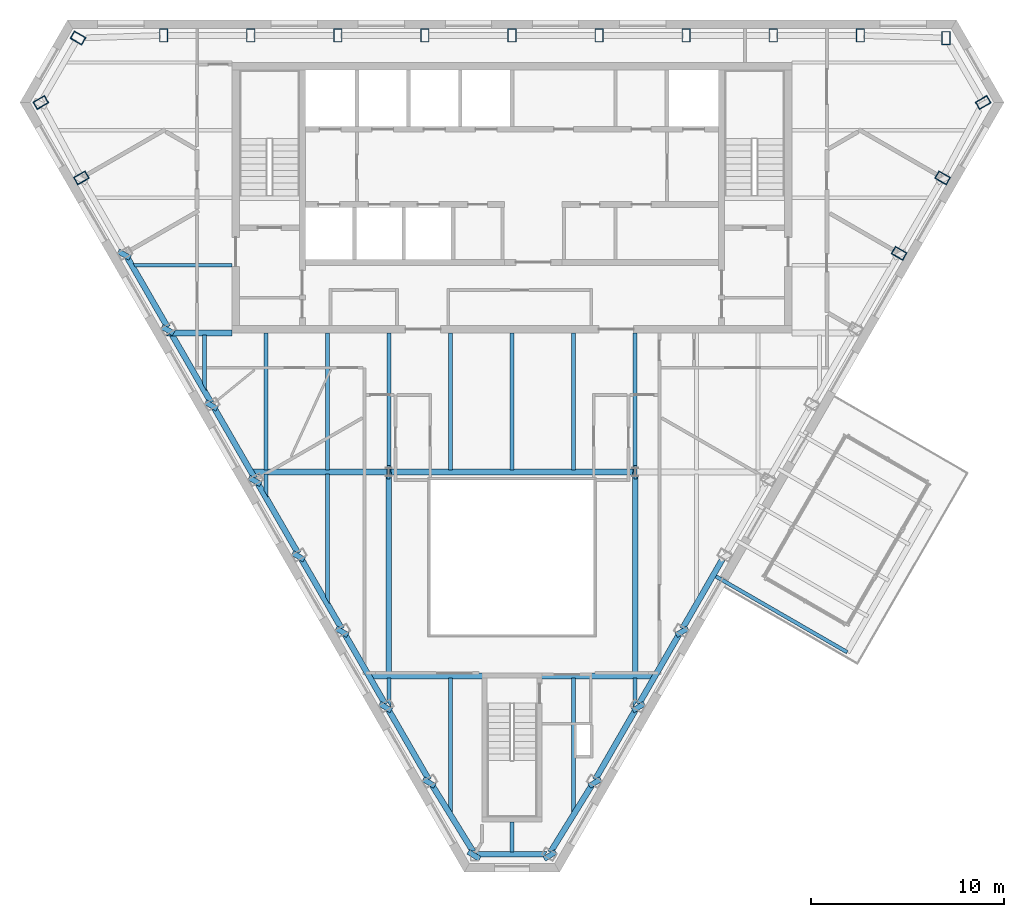
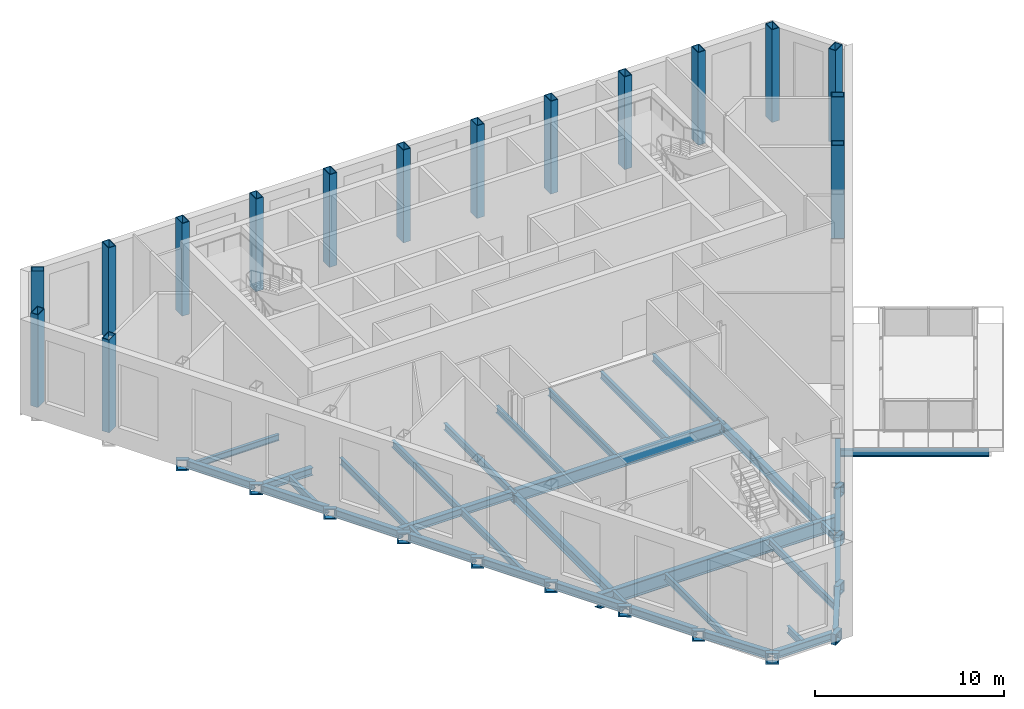
# One storey, part 2 of 11: 51 beams, 16 columns.
"""IFC4 building model written with IfcOpenShell, lengths in metres."""

import ifcopenshell
import ifcopenshell.guid

model = None  # the IFC model being written
_history = None  # IfcOwnerHistory: only IFC2X3 demands one
_inside = {}  # id of a spatial element -> (the spatial element, [elements in it])
_under = {}  # id of a project, library or spatial element -> (it, [spatial elements below it])
_declared = {}  # id of a project -> (the project, [libraries it declares])
_typed = {}  # id of a type object -> (the type object, [elements of that type])
_made_of = {}  # id of a material, layer set ... -> (it, [elements and type objects made of it])


def new_model(schema):
    """Start an empty IFC model of exactly this schema.

    Asked for "IFC4X3", IfcOpenShell would pick the latest addendum, in which some entities
    have other attributes; the version numbers below select the first issue.
    IFC2X3 requires an IfcOwnerHistory on every rooted entity: one is made here for all.
    """
    global model, _history
    if schema == "IFC4X3":
        model = ifcopenshell.file(schema_version=(4, 3, 0, 0))
    else:
        model = ifcopenshell.file(schema=schema)
    _inside.clear()
    _under.clear()
    _declared.clear()
    _typed.clear()
    _made_of.clear()
    _history = None
    if model.schema == "IFC2X3":
        org = make("IfcOrganization", Name="unknown")
        user = make(
            "IfcPersonAndOrganization",
            ThePerson=make("IfcPerson", FamilyName="unknown"),
            TheOrganization=org,
        )
        app = make(
            "IfcApplication",
            ApplicationDeveloper=org,
            Version="unknown",
            ApplicationFullName="unknown",
            ApplicationIdentifier="unknown",
        )
        _history = make(
            "IfcOwnerHistory",
            OwningUser=user,
            OwningApplication=app,
            ChangeAction="ADDED",
            CreationDate=0,
        )
    return model


def make(cls, **values):
    """One entity of the class cls with the attributes given. An attribute that is None is left unset."""
    return model.create_entity(
        cls, **{name: value for name, value in values.items() if value is not None}
    )


def rooted(cls, **values):
    """An entity with a GlobalId (a new one), such as an element, a storey or a relation."""
    return make(cls, GlobalId=ifcopenshell.guid.new(), OwnerHistory=_history, **values)


def si_unit(unit_type, name, prefix=None):
    """IfcSIUnit, for example si_unit("LENGTHUNIT", "METRE", prefix="MILLI")."""
    return make("IfcSIUnit", UnitType=unit_type, Prefix=prefix, Name=name)


def assignment(units):
    """IfcUnitAssignment: the units of a project."""
    return None if units is None else make("IfcUnitAssignment", Units=units)


def point(xyz):
    """IfcCartesianPoint."""
    return None if xyz is None else make("IfcCartesianPoint", Coordinates=xyz)


def direction(xyz):
    """IfcDirection."""
    return None if xyz is None else make("IfcDirection", DirectionRatios=xyz)


def frame(location, z_axis=None, x_axis=None):
    """IfcAxis2Placement3D, a coordinate frame: its origin and axes. An axis left out is left unset."""
    return make(
        "IfcAxis2Placement3D",
        Location=point(location),
        Axis=direction(z_axis),
        RefDirection=direction(x_axis),
    )


def frame_2d(location, x_axis=None):
    """IfcAxis2Placement2D, a coordinate frame in the plane: its origin and x axis."""
    return make(
        "IfcAxis2Placement2D", Location=point(location), RefDirection=direction(x_axis)
    )


def origin():
    """The frame at (0, 0, 0) with its axes left unset."""
    return frame((0.0, 0.0, 0.0))


def origin_2d():
    """The frame at (0, 0) in the plane with its x axis left unset."""
    return frame_2d((0.0, 0.0))


def place(relative_to, where):
    """IfcLocalPlacement: puts the frame where relative to a parent placement (None: the world)."""
    return make(
        "IfcLocalPlacement", PlacementRelTo=relative_to, RelativePlacement=where
    )


def context(
    kind, dimensions, precision=None, world=None, true_north=None, identifier=None
):
    """IfcGeometricRepresentationContext, for example the 3D "Model" context."""
    return make(
        "IfcGeometricRepresentationContext",
        ContextIdentifier=identifier,
        ContextType=kind,
        CoordinateSpaceDimension=dimensions,
        Precision=precision,
        WorldCoordinateSystem=world,
        TrueNorth=true_north,
    )


def subcontext(parent, identifier, kind, view, scale=None):
    """IfcGeometricRepresentationSubContext, for example "Body" below "Model"."""
    return make(
        "IfcGeometricRepresentationSubContext",
        ContextIdentifier=identifier,
        ContextType=kind,
        ParentContext=parent,
        TargetScale=scale,
        TargetView=view,
    )


def project(units=None, contexts=None):
    """IfcProject with its units and contexts."""
    return rooted(
        "IfcProject",
        Name="project",
        RepresentationContexts=contexts,
        UnitsInContext=assignment(units),
    )


def spatial(cls, under=None, at=None, **own):
    """A site, building, storey or space (cls), placed at a placement, below another one or the project."""
    s = rooted(cls, ObjectPlacement=at, **own)
    if under is not None:
        _under.setdefault(under.id(), (under, []))[1].append(s)
    return s


def profile(cls, at=None, kind="AREA", **sizes):
    """A parametric profile (cls). Its sizes go by their IFC names, for example OverallWidth=200.0."""
    return make(cls, ProfileType=kind, Position=at, **sizes)


def hollow_rectangle(**sizes):
    """IfcRectangleHollowProfileDef."""
    return profile("IfcRectangleHollowProfileDef", **sizes)


def i_section(**sizes):
    """IfcIShapeProfileDef."""
    return profile("IfcIShapeProfileDef", **sizes)


def extrude(swept, where, along, depth):
    """IfcExtrudedAreaSolid: the profile swept, set in the frame where, extruded along a direction by depth."""
    return make(
        "IfcExtrudedAreaSolid",
        SweptArea=swept,
        Position=where,
        ExtrudedDirection=direction(along),
        Depth=depth,
    )


def clip(a, b, op="DIFFERENCE"):
    """IfcBooleanClippingResult: the solid a cut by the half space b."""
    return make(
        "IfcBooleanClippingResult", Operator=op, FirstOperand=a, SecondOperand=b
    )


def halfspace(plane, agree):
    """IfcHalfSpaceSolid: all space on one side of the plane z = 0 of the frame plane."""
    return make(
        "IfcHalfSpaceSolid",
        BaseSurface=make("IfcPlane", Position=plane),
        AgreementFlag=agree,
    )


def shape(context_of_items, identifier, shape_type, items):
    """IfcShapeRepresentation: the items that make up one representation, for example the "Body"."""
    return make(
        "IfcShapeRepresentation",
        ContextOfItems=context_of_items,
        RepresentationIdentifier=identifier,
        RepresentationType=shape_type,
        Items=items,
    )


def material(Name=None, Category=None):
    """IfcMaterial."""
    return make("IfcMaterial", Name=Name, Category=Category)


def material_profile(
    of_material, cross_section, Name=None, Category=None, Priority=None
):
    """IfcMaterialProfile: a cross section and its material."""
    return make(
        "IfcMaterialProfile",
        Name=Name,
        Material=of_material,
        Profile=cross_section,
        Priority=Priority,
        Category=Category,
    )


def profile_set(profiles, Name=None, composite=None):
    """IfcMaterialProfileSet."""
    return make(
        "IfcMaterialProfileSet",
        Name=Name,
        MaterialProfiles=profiles,
        CompositeProfile=composite,
    )


def made_of(thing, what):
    """Note that an element or type object is made of a material, layer set ...; save() writes the relation."""
    if what is not None:
        _made_of.setdefault(what.id(), (what, []))[1].append(thing)
    return thing


def type_object(cls, material=None, **own):
    """A type object (cls), such as IfcWallType, which elements share."""
    return made_of(rooted(cls, **own), material)


def element(
    cls,
    number,
    at=None,
    inside=None,
    cuts=None,
    type_object=None,
    material=None,
    context=None,
    identifier="Body",
    shape_type=None,
    held_by="IfcProductDefinitionShape",
    body=None,
    shapes=None,
    **own,
):
    """One element of the class cls, such as IfcWall. Its Tag is "e" and its number.

    at: its placement. inside: the storey or other place that contains it. cuts: it is an
    opening in that element (IfcRelVoidsElement). A single representation is given by context,
    identifier, shape_type and body (its items); several are given by shapes. held_by: the class
    of the entity that holds the representations. save() writes the other relations.
    """
    e = rooted(cls, Tag="e%d" % number, ObjectPlacement=at, **own)
    if body is not None:
        shapes = [shape(context, identifier, shape_type, body)]
    if shapes is not None:
        e.Representation = make(held_by, Representations=shapes)
    if inside is not None:
        _inside.setdefault(inside.id(), (inside, []))[1].append(e)
    if cuts is not None:
        rooted(
            "IfcRelVoidsElement", RelatingBuildingElement=cuts, RelatedOpeningElement=e
        )
    if type_object is not None:
        _typed.setdefault(type_object.id(), (type_object, []))[1].append(e)
    return made_of(e, material)


def aggregate(whole, parts):
    """IfcRelAggregates: a whole, such as a stair, and the parts it consists of."""
    return rooted("IfcRelAggregates", RelatingObject=whole, RelatedObjects=parts)


def save(model, path):
    """Write the relations noted so far, then the file.

    IfcRelAggregates (storeys below a building ...), IfcRelContainedInSpatialStructure (elements
    in a storey), IfcRelDefinesByType, IfcRelAssociatesMaterial and IfcRelDeclares: one each for
    every whole, place, type object, material and project.
    """
    for whole, parts in _under.values():
        aggregate(whole, parts)
    for where, things in _inside.values():
        rooted(
            "IfcRelContainedInSpatialStructure",
            RelatedElements=things,
            RelatingStructure=where,
        )
    for kind, things in _typed.values():
        rooted("IfcRelDefinesByType", RelatedObjects=things, RelatingType=kind)
    for what, things in _made_of.values():
        rooted("IfcRelAssociatesMaterial", RelatedObjects=things, RelatingMaterial=what)
    for by, libraries in _declared.values():
        rooted("IfcRelDeclares", RelatingContext=by, RelatedDefinitions=libraries)
    model.write(path)


model = new_model("IFC4")

# Units and contexts
model_context = context("Model", 3, precision=1e-05, world=origin(), true_north=direction((0.0, 1.0)))
body_context = subcontext(model_context, "Body", "Model", "MODEL_VIEW")
ifc_project = project(units=[si_unit("LENGTHUNIT", "METRE"), si_unit("AREAUNIT", "SQUARE_METRE"), si_unit("VOLUMEUNIT", "CUBIC_METRE"), si_unit("PLANEANGLEUNIT", "RADIAN"), si_unit("MASSUNIT", "GRAM", prefix="KILO")], contexts=[model_context])

# Site, building, storey
site_placement = place(None, origin())
site = spatial("IfcSite", under=ifc_project, at=site_placement, CompositionType="ELEMENT")
building_placement = place(site_placement, origin())
building = spatial("IfcBuilding", under=site, at=building_placement, Name="Njiva Tower", CompositionType="ELEMENT")
storey_placement = place(building_placement, frame((0.0, 0.0, 298.2)))
storey = spatial("IfcBuildingStorey", under=building, at=storey_placement, Name="L68", CompositionType="ELEMENT", Elevation=298.2)

# Columns
ifc_material = material(Name="Steel S355 J2", Category="steel")
ifc_material_profile_1 = material_profile(ifc_material, hollow_rectangle(XDim=0.45, YDim=0.7, WallThickness=0.04, at=origin_2d()), Name="BOX 700x450x40")
ifc_profile_set_1 = profile_set([ifc_material_profile_1], Name="Steel S355 J2")
column_type = type_object("IfcColumnType", Name="C15 Perimeter tube column BOX 700x450x40", PredefinedType="COLUMN", material=ifc_profile_set_1)
for number, where, z_axis, x_axis, name in (
    (1, (22.461, 19.267, 0.0), (0.0, 0.0, 1.0), (-1.0, 0.0, 0.0), "Perimeter tube column S22-C01"),
    (2, (18.03, 19.4, 0.0), (0.0, 0.0, 1.0), (-1.0, 0.0, 0.0), "Perimeter tube column S22-C02"),
    (3, (13.523, 19.4, 0.0), (0.0, 0.0, 1.0), (-1.0, 0.0, 0.0), "Perimeter tube column S22-C03"),
    (4, (9.015, 19.4, 0.0), (0.0, 0.0, 1.0), (-1.0, 0.0, 0.0), "Perimeter tube column S22-C04"),
    (5, (4.508, 19.4, 0.0), (0.0, 0.0, 1.0), (-1.0, 0.0, 0.0), "Perimeter tube column S22-C05"),
    (6, (0.0, 19.4, 0.0), (0.0, 0.0, 1.0), (-1.0, 0.0, 0.0), "Perimeter tube column S22-C06"),
    (7, (-4.508, 19.4, 0.0), (0.0, 0.0, 1.0), (-1.0, 0.0, 0.0), "Perimeter tube column S22-C07"),
    (8, (-9.015, 19.4, 0.0), (0.0, 0.0, 1.0), (-1.0, 0.0, 0.0), "Perimeter tube column S22-C08"),
    (9, (-13.523, 19.4, 0.0), (0.0, 0.0, 1.0), (-1.0, 0.0, 0.0), "Perimeter tube column S22-C09"),
    (10, (-18.03, 19.4, 0.0), (0.0, 0.0, 1.0), (-1.0, 0.0, 0.0), "Perimeter tube column S22-C10"),
    (11, (-22.461, 19.267, 0.0), (0.0, 0.0, 1.0), (-0.5, -0.866025403784, 0.0), "Perimeter tube column S22-C11"),
    (12, (-24.388, 15.93, 0.0), (0.0, 0.0, 1.0), (0.5, -0.866025403784, 0.0), "Perimeter tube column S22-C12"),
    (13, (-22.287, 12.027, 0.0), (0.0, 0.0, 1.0), (0.5, -0.866025403784, 0.0), "Perimeter tube column S22-C13"),
    (14, (20.034, 8.123, 0.0), (0.0, 0.0, 1.0), (0.5, 0.866025403784, 0.0), "Perimeter tube column S22-C31"),
    (15, (22.287, 12.027, 0.0), (0.0, 0.0, 1.0), (0.5, 0.866025403784, 0.0), "Perimeter tube column S22-C32"),
    (16, (24.388, 15.93, 0.0), (0.0, 0.0, 1.0), (-0.5, 0.866025403784, 0.0), "Perimeter tube column S22-C33"),
):
    element("IfcColumn", number, at=place(storey_placement, frame(where, z_axis=z_axis, x_axis=x_axis)), inside=storey, type_object=column_type, Name=name, PredefinedType="COLUMN", context=body_context, shape_type="SweptSolid", body=[
        extrude(hollow_rectangle(XDim=0.45, YDim=0.7, WallThickness=0.04, at=origin_2d()), origin(), (0.0, 0.0, 1.0), 6.0),
    ])

# Beams
ifc_material_profile_2 = material_profile(ifc_material, hollow_rectangle(XDim=0.7, YDim=0.7, WallThickness=0.08, at=origin_2d()), Name="BOX 700x700x80")
ifc_profile_set_2 = profile_set([ifc_material_profile_2], Name="Steel S355 J2")
beam_type_1 = type_object("IfcBeamType", Name="B19 Column jog beam BOX 700x700x80", PredefinedType="BEAM", material=ifc_profile_set_2)
beam_1_placement = place(storey_placement, frame((-20.139, 7.934, -0.65), z_axis=(0.485950811309, 0.873986160639, 0.0), x_axis=(-0.873986160639, 0.485950811309, 0.0)))
element("IfcBeam", 17, at=beam_1_placement, inside=storey, type_object=beam_type_1, Name="Column jog beam S22-B015", PredefinedType="BEAM", context=body_context, shape_type="SweptSolid", body=[
    extrude(hollow_rectangle(XDim=0.7, YDim=0.7, WallThickness=0.08, at=origin_2d()), origin(), (0.0, 0.0, 1.0), 0.2757),
])
beam_2_placement = place(storey_placement, frame((-17.885, 4.031, -0.65), z_axis=(0.487495172516, 0.873125682118, 0.0), x_axis=(-0.873125682118, 0.487495172516, 0.0)))
element("IfcBeam", 18, at=beam_2_placement, inside=storey, type_object=beam_type_1, Name="Column jog beam S22-B016", PredefinedType="BEAM", context=body_context, shape_type="SweptSolid", body=[
    extrude(hollow_rectangle(XDim=0.7, YDim=0.7, WallThickness=0.08, at=origin_2d()), origin(), (0.0, 0.0, 1.0), 0.2749),
])
beam_3_placement = place(storey_placement, frame((-15.633, 0.129, -0.65), z_axis=(0.49731125795, 0.867572194527, 0.0), x_axis=(-0.867572194527, 0.49731125795, 0.0)))
element("IfcBeam", 19, at=beam_3_placement, inside=storey, type_object=beam_type_1, Name="Column jog beam S22-B017", PredefinedType="BEAM", context=body_context, shape_type="SweptSolid", body=[
    extrude(hollow_rectangle(XDim=0.7, YDim=0.7, WallThickness=0.08, at=origin_2d()), origin(), (0.0, 0.0, 1.0), 0.2755),
])
beam_4_placement = place(storey_placement, frame((-13.38, -3.774, -0.65), z_axis=(0.501609290535, 0.865094283676, 0.0), x_axis=(-0.865094283676, 0.501609290535, 0.0)))
element("IfcBeam", 20, at=beam_4_placement, inside=storey, type_object=beam_type_1, Name="Column jog beam S22-B018", PredefinedType="BEAM", context=body_context, shape_type="SweptSolid", body=[
    extrude(hollow_rectangle(XDim=0.7, YDim=0.7, WallThickness=0.08, at=origin_2d()), origin(), (0.0, 0.0, 1.0), 0.2751),
])
beam_5_placement = place(storey_placement, frame((-11.126, -7.677, -0.65), z_axis=(0.503190728668, 0.864175381843, 0.0), x_axis=(-0.864175381843, 0.503190728668, 0.0)))
element("IfcBeam", 21, at=beam_5_placement, inside=storey, type_object=beam_type_1, Name="Column jog beam S22-B019", PredefinedType="BEAM", context=body_context, shape_type="SweptSolid", body=[
    extrude(hollow_rectangle(XDim=0.7, YDim=0.7, WallThickness=0.08, at=origin_2d()), origin(), (0.0, 0.0, 1.0), 0.2742),
])
beam_6_placement = place(storey_placement, frame((-8.874, -11.58, -0.65), z_axis=(0.510201913315, 0.860054653874, 0.0), x_axis=(-0.860054653874, 0.510201913315, 0.0)))
element("IfcBeam", 22, at=beam_6_placement, inside=storey, type_object=beam_type_1, Name="Column jog beam S22-B020", PredefinedType="BEAM", context=body_context, shape_type="SweptSolid", body=[
    extrude(hollow_rectangle(XDim=0.7, YDim=0.7, WallThickness=0.08, at=origin_2d()), origin(), (0.0, 0.0, 1.0), 0.2744),
])
beam_7_placement = place(storey_placement, frame((-6.621, -15.482, -0.65), z_axis=(0.516109704481, 0.856522488287, 0.0), x_axis=(-0.856522488287, 0.516109704481, 0.0)))
element("IfcBeam", 23, at=beam_7_placement, inside=storey, type_object=beam_type_1, Name="Column jog beam S22-B021", PredefinedType="BEAM", context=body_context, shape_type="SweptSolid", body=[
    extrude(hollow_rectangle(XDim=0.7, YDim=0.7, WallThickness=0.08, at=origin_2d()), origin(), (0.0, 0.0, 1.0), 0.2732),
])
beam_8_placement = place(storey_placement, frame((-4.367, -19.385, -0.65), z_axis=(0.517731957617, 0.855542880318, 0.0), x_axis=(-0.855542880318, 0.517731957617, 0.0)))
element("IfcBeam", 24, at=beam_8_placement, inside=storey, type_object=beam_type_1, Name="Column jog beam S22-B023", PredefinedType="BEAM", context=body_context, shape_type="SweptSolid", body=[
    extrude(hollow_rectangle(XDim=0.7, YDim=0.7, WallThickness=0.08, at=origin_2d()), origin(), (0.0, 0.0, 1.0), 0.2723),
])
for number, where, z_axis, x_axis, name in (
    (25, (-2.038, -23.154, -0.65), (0.529007926798, 0.848616882571, 0.0), (-0.848616882571, 0.529007926798, 0.0), "Column jog beam S22-B024"),
    (26, (2.038, -23.154, -0.65), (-0.529007926798, 0.848616882571, 0.0), (-0.848616882571, -0.529007926798, 0.0), "Column jog beam S22-B025"),
):
    element("IfcBeam", number, at=place(storey_placement, frame(where, z_axis=z_axis, x_axis=x_axis)), inside=storey, type_object=beam_type_1, Name=name, PredefinedType="BEAM", context=body_context, shape_type="SweptSolid", body=[
        extrude(hollow_rectangle(XDim=0.7, YDim=0.7, WallThickness=0.08, at=origin_2d()), origin(), (0.0, 0.0, 1.0), 0.2722),
    ])
beam_9_placement = place(storey_placement, frame((4.367, -19.385, -0.65), z_axis=(-0.517731957617, 0.855542880318, 0.0), x_axis=(-0.855542880318, -0.517731957617, 0.0)))
element("IfcBeam", 27, at=beam_9_placement, inside=storey, type_object=beam_type_1, Name="Column jog beam S22-B026", PredefinedType="BEAM", context=body_context, shape_type="SweptSolid", body=[
    extrude(hollow_rectangle(XDim=0.7, YDim=0.7, WallThickness=0.08, at=origin_2d()), origin(), (0.0, 0.0, 1.0), 0.2723),
])
beam_10_placement = place(storey_placement, frame((6.621, -15.482, -0.65), z_axis=(-0.516109704481, 0.856522488287, 0.0), x_axis=(-0.856522488287, -0.516109704481, 0.0)))
element("IfcBeam", 28, at=beam_10_placement, inside=storey, type_object=beam_type_1, Name="Column jog beam S22-B028", PredefinedType="BEAM", context=body_context, shape_type="SweptSolid", body=[
    extrude(hollow_rectangle(XDim=0.7, YDim=0.7, WallThickness=0.08, at=origin_2d()), origin(), (0.0, 0.0, 1.0), 0.2732),
])
beam_11_placement = place(storey_placement, frame((8.874, -11.58, -0.65), z_axis=(-0.510201913315, 0.860054653874, 0.0), x_axis=(-0.860054653874, -0.510201913315, 0.0)))
element("IfcBeam", 29, at=beam_11_placement, inside=storey, type_object=beam_type_1, Name="Column jog beam S22-B029", PredefinedType="BEAM", context=body_context, shape_type="SweptSolid", body=[
    extrude(hollow_rectangle(XDim=0.7, YDim=0.7, WallThickness=0.08, at=origin_2d()), origin(), (0.0, 0.0, 1.0), 0.2744),
])
for number, where, z_axis, x_axis, name in (
    (30, (6.48, -3.2, -0.65), (-1.0, 0.0, 0.0), (0.0, -1.0, 0.0), "Column jog beam S22-B027"),
    (31, (-6.48, -3.2, -0.65), (1.0, 0.0, 0.0), (0.0, 1.0, 0.0), "Column jog beam S22-B022"),
):
    element("IfcBeam", number, at=place(storey_placement, frame(where, z_axis=z_axis, x_axis=x_axis)), inside=storey, type_object=beam_type_1, Name=name, PredefinedType="BEAM", context=body_context, shape_type="SweptSolid", body=[
        extrude(hollow_rectangle(XDim=0.7, YDim=0.7, WallThickness=0.08, at=origin_2d()), origin(), (0.0, 0.0, 1.0), 0.16),
    ])
ifc_material_profile_3 = material_profile(ifc_material, i_section(OverallWidth=0.3, OverallDepth=0.59, WebThickness=0.013, FlangeThickness=0.025, at=origin_2d()), Name="HEA 600")
ifc_profile_set_3 = profile_set([ifc_material_profile_3], Name="Steel S355 J2")
beam_type_2 = type_object("IfcBeamType", Name="B30 Long-span atrium trimmer beam HEA 600", PredefinedType="BEAM", material=ifc_profile_set_3)
for number, where, z_axis, x_axis, name in (
    (32, (6.38, -13.649, -0.595), (0.0, 1.0, 0.0), (-1.0, 0.0, 0.0), "Long-span atrium trimmer beam S22-B060"),
    (33, (-6.38, -3.2, -0.595), (0.0, -1.0, 0.0), (1.0, 0.0, 0.0), "Long-span atrium trimmer beam S22-B058"),
):
    element("IfcBeam", number, at=place(storey_placement, frame(where, z_axis=z_axis, x_axis=x_axis)), inside=storey, type_object=beam_type_2, Name=name, PredefinedType="BEAM", context=body_context, shape_type="SweptSolid", body=[
        extrude(i_section(OverallWidth=0.3, OverallDepth=0.59, WebThickness=0.013, FlangeThickness=0.025, at=origin_2d()), origin(), (0.0, 0.0, 1.0), 10.449),
    ])
ifc_material_profile_4 = material_profile(ifc_material, i_section(OverallWidth=0.3, OverallDepth=0.49, WebThickness=0.012, FlangeThickness=0.023, at=origin_2d()), Name="HEA 500")
ifc_profile_set_4 = profile_set([ifc_material_profile_4], Name="Steel S355 J2")
beam_type_3 = type_object("IfcBeamType", Name="B48 Short-span spandrel beam HEA 500", PredefinedType="SPANDREL", material=ifc_profile_set_4)
beam_12_placement = place(storey_placement, frame((-19.906, 7.902, -0.545), z_axis=(0.500097243556, -0.865969252911, 0.0), x_axis=(0.865969252911, 0.500097243556, 0.0)))
element("IfcBeam", 34, at=beam_12_placement, inside=storey, type_object=beam_type_3, Name="Short-span spandrel beam S22-B065", PredefinedType="SPANDREL", context=body_context, shape_type="SweptSolid", body=[
    extrude(i_section(OverallWidth=0.3, OverallDepth=0.49, WebThickness=0.012, FlangeThickness=0.023, at=origin_2d()), origin(), (0.0, 0.0, 1.0), 4.1572),
])
for number, where, z_axis, x_axis, name in (
    (35, (-17.652, 3.999, -0.545), (0.500021003115, -0.866013277291, 0.0), (0.866013277291, 0.500021003115, 0.0), "Short-span spandrel beam S22-B067"),
    (36, (-15.399, 0.096, -0.545), (0.500021003115, -0.866013277291, 0.0), (0.866013277291, 0.500021003115, 0.0), "Short-span spandrel beam S22-B068"),
):
    element("IfcBeam", number, at=place(storey_placement, frame(where, z_axis=z_axis, x_axis=x_axis)), inside=storey, type_object=beam_type_3, Name=name, PredefinedType="SPANDREL", context=body_context, shape_type="SweptSolid", body=[
        extrude(i_section(OverallWidth=0.3, OverallDepth=0.49, WebThickness=0.012, FlangeThickness=0.023, at=origin_2d()), origin(), (0.0, 0.0, 1.0), 4.1558),
    ])
beam_13_placement = place(storey_placement, frame((-13.146, -3.806, -0.545), z_axis=(0.499812681335, -0.866133525259, 0.0), x_axis=(0.866133525259, 0.499812681335, 0.0)))
element("IfcBeam", 37, at=beam_13_placement, inside=storey, type_object=beam_type_3, Name="Short-span spandrel beam S22-B070", PredefinedType="SPANDREL", context=body_context, shape_type="SweptSolid", body=[
    extrude(i_section(OverallWidth=0.3, OverallDepth=0.49, WebThickness=0.012, FlangeThickness=0.023, at=origin_2d()), origin(), (0.0, 0.0, 1.0), 4.1576),
])
beam_14_placement = place(storey_placement, frame((-10.893, -7.71, -0.545), z_axis=(0.500201435056, -0.865909073961, 0.0), x_axis=(0.865909073961, 0.500201435056, 0.0)))
element("IfcBeam", 38, at=beam_14_placement, inside=storey, type_object=beam_type_3, Name="Short-span spandrel beam S22-B071", PredefinedType="SPANDREL", context=body_context, shape_type="SweptSolid", body=[
    extrude(i_section(OverallWidth=0.3, OverallDepth=0.49, WebThickness=0.012, FlangeThickness=0.023, at=origin_2d()), origin(), (0.0, 0.0, 1.0), 4.1563),
])
beam_15_placement = place(storey_placement, frame((-8.639, -11.612, -0.545), z_axis=(0.499916824138, -0.866073420066, 0.0), x_axis=(0.866073420066, 0.499916824138, 0.0)))
element("IfcBeam", 39, at=beam_15_placement, inside=storey, type_object=beam_type_3, Name="Short-span spandrel beam S22-B073", PredefinedType="SPANDREL", context=body_context, shape_type="SweptSolid", body=[
    extrude(i_section(OverallWidth=0.3, OverallDepth=0.49, WebThickness=0.012, FlangeThickness=0.023, at=origin_2d()), origin(), (0.0, 0.0, 1.0), 4.1567),
])
beam_16_placement = place(storey_placement, frame((-6.386, -15.515, -0.545), z_axis=(0.500097243556, -0.865969252911, 0.0), x_axis=(0.865969252911, 0.500097243556, 0.0)))
element("IfcBeam", 40, at=beam_16_placement, inside=storey, type_object=beam_type_3, Name="Short-span spandrel beam S22-B074", PredefinedType="SPANDREL", context=body_context, shape_type="SweptSolid", body=[
    extrude(i_section(OverallWidth=0.3, OverallDepth=0.49, WebThickness=0.012, FlangeThickness=0.023, at=origin_2d()), origin(), (0.0, 0.0, 1.0), 4.1572),
])
beam_17_placement = place(storey_placement, frame((-4.124, -19.418, -0.545), z_axis=(0.525722919695, -0.850655871494, 0.0), x_axis=(0.850655871494, 0.525722919695, 0.0)))
element("IfcBeam", 41, at=beam_17_placement, inside=storey, type_object=beam_type_3, Name="Short-span spandrel beam S22-B076", PredefinedType="SPANDREL", context=body_context, shape_type="Clipping", body=[
    clip(extrude(i_section(OverallWidth=0.3, OverallDepth=0.49, WebThickness=0.012, FlangeThickness=0.023, at=origin_2d()), origin(), (0.0, 0.0, 1.0), 4.0923), halfspace(frame((-0.026, 0.0, 3.9632), z_axis=(-0.525722919695, 0.0, 0.850655871494), x_axis=(0.0, 1.0, 0.0)), False)),
])
beam_18_placement = place(storey_placement, frame((-1.831, -22.974, -0.545), z_axis=(1.0, 0.0, 0.0), x_axis=(0.0, 1.0, 0.0)))
element("IfcBeam", 42, at=beam_18_placement, inside=storey, type_object=beam_type_3, Name="Short-span spandrel beam S22-B077", PredefinedType="SPANDREL", context=body_context, shape_type="Clipping", body=[
    clip(extrude(i_section(OverallWidth=0.3, OverallDepth=0.49, WebThickness=0.012, FlangeThickness=0.023, at=origin_2d()), origin(), (0.0, 0.0, 1.0), 3.672), halfspace(frame((-0.0246, 0.0, 3.5509), z_axis=(-0.499998009787, 0.0, 0.866026552831), x_axis=(0.0, 1.0, 0.0)), False)),
])
beam_19_placement = place(storey_placement, frame((1.982, -22.883, -0.545), z_axis=(0.525822097538, 0.850594569546, 0.0), x_axis=(-0.850594569546, 0.525822097538, 0.0)))
element("IfcBeam", 43, at=beam_19_placement, inside=storey, type_object=beam_type_3, Name="Short-span spandrel beam S22-B079", PredefinedType="SPANDREL", context=body_context, shape_type="SweptSolid", body=[
    extrude(i_section(OverallWidth=0.3, OverallDepth=0.49, WebThickness=0.012, FlangeThickness=0.023, at=origin_2d()), origin(), (0.0, 0.0, 1.0), 4.0736),
])
beam_20_placement = place(storey_placement, frame((4.307, -19.115, -0.545), z_axis=(0.500097243556, 0.865969252911, 0.0), x_axis=(-0.865969252911, 0.500097243556, 0.0)))
element("IfcBeam", 44, at=beam_20_placement, inside=storey, type_object=beam_type_3, Name="Short-span spandrel beam S22-B080", PredefinedType="SPANDREL", context=body_context, shape_type="SweptSolid", body=[
    extrude(i_section(OverallWidth=0.3, OverallDepth=0.49, WebThickness=0.012, FlangeThickness=0.023, at=origin_2d()), origin(), (0.0, 0.0, 1.0), 4.1572),
])
beam_21_placement = place(storey_placement, frame((6.561, -15.212, -0.545), z_axis=(0.499916824138, 0.866073420066, 0.0), x_axis=(-0.866073420066, 0.499916824138, 0.0)))
element("IfcBeam", 45, at=beam_21_placement, inside=storey, type_object=beam_type_3, Name="Short-span spandrel beam S22-B082", PredefinedType="SPANDREL", context=body_context, shape_type="SweptSolid", body=[
    extrude(i_section(OverallWidth=0.3, OverallDepth=0.49, WebThickness=0.012, FlangeThickness=0.023, at=origin_2d()), origin(), (0.0, 0.0, 1.0), 4.1567),
])
beam_22_placement = place(storey_placement, frame((8.814, -11.309, -0.545), z_axis=(0.500201435056, 0.865909073961, 0.0), x_axis=(-0.865909073961, 0.500201435056, 0.0)))
element("IfcBeam", 46, at=beam_22_placement, inside=storey, type_object=beam_type_3, Name="Short-span spandrel beam S22-B083", PredefinedType="SPANDREL", context=body_context, shape_type="SweptSolid", body=[
    extrude(i_section(OverallWidth=0.3, OverallDepth=0.49, WebThickness=0.012, FlangeThickness=0.023, at=origin_2d()), origin(), (0.0, 0.0, 1.0), 4.1563),
])
ifc_material_profile_5 = material_profile(ifc_material, i_section(OverallWidth=0.3, OverallDepth=0.49, WebThickness=0.012, FlangeThickness=0.023, at=origin_2d()), Name="HEA 500")
ifc_profile_set_5 = profile_set([ifc_material_profile_5], Name="Steel S355 J2")
beam_type_4 = type_object("IfcBeamType", Name="B49 Floor girder HEA 500", PredefinedType="BEAM", material=ifc_profile_set_5)
beam_23_placement = place(storey_placement, frame((-13.488, -3.2, -0.545), z_axis=(1.0, 0.0, 0.0), x_axis=(0.0, 1.0, 0.0)))
element("IfcBeam", 47, at=beam_23_placement, inside=storey, type_object=beam_type_4, Name="Floor girder S22-B010", PredefinedType="BEAM", context=body_context, shape_type="Clipping", body=[
    clip(extrude(i_section(OverallWidth=0.3, OverallDepth=0.49, WebThickness=0.012, FlangeThickness=0.023, at=origin_2d()), origin(), (0.0, 0.0, 1.0), 7.108), halfspace(frame((-0.025, 0.0, 0.1217), z_axis=(-0.499998009787, 0.0, -0.866026552831), x_axis=(0.0, -1.0, 0.0)), False)),
])
ifc_material_profile_6 = material_profile(ifc_material, i_section(OverallWidth=0.3, OverallDepth=0.49, WebThickness=0.012, FlangeThickness=0.023, at=origin_2d()), Name="HEA 500")
ifc_profile_set_6 = profile_set([ifc_material_profile_6], Name="Steel S355 J2")
beam_type_5 = type_object("IfcBeamType", Name="B50 Short-span floor girder HEA 500", PredefinedType="BEAM", material=ifc_profile_set_6)
beam_24_placement = place(storey_placement, frame((-17.93, 4.0, -0.545), z_axis=(1.0, 0.0, 0.0), x_axis=(0.0, 1.0, 0.0)))
element("IfcBeam", 48, at=beam_24_placement, inside=storey, type_object=beam_type_5, Name="Short-span floor girder S22-B009", PredefinedType="BEAM", context=body_context, shape_type="Clipping", body=[
    clip(extrude(i_section(OverallWidth=0.3, OverallDepth=0.49, WebThickness=0.012, FlangeThickness=0.023, at=origin_2d()), origin(), (0.0, 0.0, 1.0), 3.43), halfspace(frame((0.0433, 0.0, 0.3552), z_axis=(0.866026552831, 0.0, -0.499998009787), x_axis=(0.0, -1.0, 0.0)), False)),
])
ifc_material_profile_7 = material_profile(ifc_material, i_section(OverallWidth=0.18, OverallDepth=0.4, WebThickness=0.0086, FlangeThickness=0.0135, at=origin_2d()), Name="IPE 400")
ifc_profile_set_7 = profile_set([ifc_material_profile_7], Name="Steel S355 J2")
beam_type_6 = type_object("IfcBeamType", Name="B51 Floor beam to the core IPE 400", PredefinedType="BEAM", material=ifc_profile_set_7)
beam_25_placement = place(storey_placement, frame((-19.63, 7.5, -0.5), z_axis=(1.0, 0.0, 0.0), x_axis=(0.0, 1.0, 0.0)))
element("IfcBeam", 49, at=beam_25_placement, inside=storey, type_object=beam_type_6, Name="Floor beam to the core S22-B004", PredefinedType="BEAM", context=body_context, shape_type="Clipping", body=[
    clip(extrude(i_section(OverallWidth=0.18, OverallDepth=0.4, WebThickness=0.0086, FlangeThickness=0.0135, at=origin_2d()), origin(), (0.0, 0.0, 1.0), 5.13), halfspace(frame((-0.025, 0.0, 0.086), z_axis=(-0.499998009787, 0.0, -0.866026552831), x_axis=(0.0, -1.0, 0.0)), False)),
])
ifc_material_profile_8 = material_profile(ifc_material, i_section(OverallWidth=0.19, OverallDepth=0.45, WebThickness=0.0094, FlangeThickness=0.0146, at=origin_2d()), Name="IPE 450")
ifc_profile_set_8 = profile_set([ifc_material_profile_8], Name="Steel S355 J2")
beam_type_7 = type_object("IfcBeamType", Name="B52 Short-span floor joist IPE 450", PredefinedType="JOIST", material=ifc_profile_set_8)
beam_26_placement = place(storey_placement, frame((-15.917, 3.9, -0.525), z_axis=(0.0, -1.0, 0.0), x_axis=(1.0, 0.0, 0.0)))
element("IfcBeam", 50, at=beam_26_placement, inside=storey, type_object=beam_type_7, Name="Short-span floor joist S22-B037", PredefinedType="JOIST", context=body_context, shape_type="Clipping", body=[
    clip(extrude(i_section(OverallWidth=0.19, OverallDepth=0.45, WebThickness=0.0094, FlangeThickness=0.0146, at=origin_2d()), origin(), (0.0, 0.0, 1.0), 2.893), halfspace(frame((-0.043, 0.0, 2.6327), z_axis=(-0.866026552831, 0.0, 0.499998009787), x_axis=(0.0, 1.0, 0.0)), False)),
])
beam_27_placement = place(storey_placement, frame((-12.733, -3.3, -0.525), z_axis=(0.0, -1.0, 0.0), x_axis=(1.0, 0.0, 0.0)))
element("IfcBeam", 51, at=beam_27_placement, inside=storey, type_object=beam_type_7, Name="Short-span floor joist S22-B038", PredefinedType="JOIST", context=body_context, shape_type="Clipping", body=[
    clip(extrude(i_section(OverallWidth=0.19, OverallDepth=0.45, WebThickness=0.0094, FlangeThickness=0.0146, at=origin_2d()), origin(), (0.0, 0.0, 1.0), 1.206), halfspace(frame((-0.0436, 0.0, 0.9464), z_axis=(-0.866026552831, 0.0, 0.499998009787), x_axis=(0.0, 1.0, 0.0)), False)),
])
beam_28_placement = place(storey_placement, frame((-6.367, -13.851, -0.525), z_axis=(0.0, -1.0, 0.0), x_axis=(1.0, 0.0, 0.0)))
element("IfcBeam", 52, at=beam_28_placement, inside=storey, type_object=beam_type_7, Name="Short-span floor joist S22-B042", PredefinedType="JOIST", context=body_context, shape_type="Clipping", body=[
    clip(extrude(i_section(OverallWidth=0.19, OverallDepth=0.45, WebThickness=0.0094, FlangeThickness=0.0146, at=origin_2d()), origin(), (0.0, 0.0, 1.0), 1.552), halfspace(frame((-0.043, 0.0, 1.2918), z_axis=(-0.866026552831, 0.0, 0.499998009787), x_axis=(0.0, 1.0, 0.0)), False)),
])
beam_29_placement = place(storey_placement, frame((0.0, -21.3, -0.525), z_axis=(0.0, -1.0, 0.0), x_axis=(1.0, 0.0, 0.0)))
element("IfcBeam", 53, at=beam_29_placement, inside=storey, type_object=beam_type_7, Name="Short-span floor joist S22-B046", PredefinedType="JOIST", context=body_context, shape_type="SweptSolid", body=[
    extrude(i_section(OverallWidth=0.19, OverallDepth=0.45, WebThickness=0.0094, FlangeThickness=0.0146, at=origin_2d()), origin(), (0.0, 0.0, 1.0), 1.574),
])
beam_30_placement = place(storey_placement, frame((6.367, -13.851, -0.525), z_axis=(0.0, -1.0, 0.0), x_axis=(1.0, 0.0, 0.0)))
element("IfcBeam", 54, at=beam_30_placement, inside=storey, type_object=beam_type_7, Name="Short-span floor joist S22-B050", PredefinedType="JOIST", context=body_context, shape_type="Clipping", body=[
    clip(extrude(i_section(OverallWidth=0.19, OverallDepth=0.45, WebThickness=0.0094, FlangeThickness=0.0146, at=origin_2d()), origin(), (0.0, 0.0, 1.0), 1.552), halfspace(frame((0.043, 0.0, 1.2918), z_axis=(0.866026552831, 0.0, 0.499998009787), x_axis=(0.0, 1.0, 0.0)), False)),
])
ifc_material_profile_9 = material_profile(ifc_material, i_section(OverallWidth=0.19, OverallDepth=0.45, WebThickness=0.0094, FlangeThickness=0.0146, at=origin_2d()), Name="IPE 450")
ifc_profile_set_9 = profile_set([ifc_material_profile_9], Name="Steel S355 J2")
beam_type_8 = type_object("IfcBeamType", Name="B53 Floor joist IPE 450", PredefinedType="JOIST", material=ifc_profile_set_9)
for number, where, z_axis, x_axis, name in (
    (55, (-12.733, 3.995, -0.525), (0.0, -1.0, 0.0), (1.0, 0.0, 0.0), "Floor joist S22-B039"),
    (56, (-9.55, 3.995, -0.525), (0.0, -1.0, 0.0), (1.0, 0.0, 0.0), "Floor joist S22-B041"),
):
    element("IfcBeam", number, at=place(storey_placement, frame(where, z_axis=z_axis, x_axis=x_axis)), inside=storey, type_object=beam_type_8, Name=name, PredefinedType="JOIST", context=body_context, shape_type="SweptSolid", body=[
        extrude(i_section(OverallWidth=0.19, OverallDepth=0.45, WebThickness=0.0094, FlangeThickness=0.0146, at=origin_2d()), origin(), (0.0, 0.0, 1.0), 7.095),
    ])
beam_31_placement = place(storey_placement, frame((-9.55, -3.3, -0.525), z_axis=(0.0, -1.0, 0.0), x_axis=(1.0, 0.0, 0.0)))
element("IfcBeam", 57, at=beam_31_placement, inside=storey, type_object=beam_type_8, Name="Floor joist S22-B040", PredefinedType="JOIST", context=body_context, shape_type="Clipping", body=[
    clip(extrude(i_section(OverallWidth=0.19, OverallDepth=0.45, WebThickness=0.0094, FlangeThickness=0.0146, at=origin_2d()), origin(), (0.0, 0.0, 1.0), 6.72), halfspace(frame((-0.0433, 0.0, 6.4601), z_axis=(-0.866026552831, 0.0, 0.499998009787), x_axis=(0.0, 1.0, 0.0)), False)),
])
beam_32_placement = place(storey_placement, frame((-6.367, 3.995, -0.525), z_axis=(0.0, -1.0, 0.0), x_axis=(1.0, 0.0, 0.0)))
element("IfcBeam", 58, at=beam_32_placement, inside=storey, type_object=beam_type_8, Name="Floor joist S22-B043", PredefinedType="JOIST", context=body_context, shape_type="SweptSolid", body=[
    extrude(i_section(OverallWidth=0.19, OverallDepth=0.45, WebThickness=0.0094, FlangeThickness=0.0146, at=origin_2d()), origin(), (0.0, 0.0, 1.0), 7.195),
])
beam_33_placement = place(storey_placement, frame((-3.183, 3.995, -0.525), z_axis=(0.0, -1.0, 0.0), x_axis=(1.0, 0.0, 0.0)))
element("IfcBeam", 59, at=beam_33_placement, inside=storey, type_object=beam_type_8, Name="Floor joist S22-B045", PredefinedType="JOIST", context=body_context, shape_type="SweptSolid", body=[
    extrude(i_section(OverallWidth=0.19, OverallDepth=0.45, WebThickness=0.0094, FlangeThickness=0.0146, at=origin_2d()), origin(), (0.0, 0.0, 1.0), 7.095),
])
beam_34_placement = place(storey_placement, frame((-3.183, -13.851, -0.525), z_axis=(0.0, -1.0, 0.0), x_axis=(1.0, 0.0, 0.0)))
element("IfcBeam", 60, at=beam_34_placement, inside=storey, type_object=beam_type_8, Name="Floor joist S22-B044", PredefinedType="JOIST", context=body_context, shape_type="Clipping", body=[
    clip(extrude(i_section(OverallWidth=0.19, OverallDepth=0.45, WebThickness=0.0094, FlangeThickness=0.0146, at=origin_2d()), origin(), (0.0, 0.0, 1.0), 7.073), halfspace(frame((-0.0429, 0.0, 6.8299), z_axis=(-0.850620428373, 0.0, 0.525780264783), x_axis=(0.0, 1.0, 0.0)), False)),
])
for number, where, z_axis, x_axis, name in (
    (61, (0.0, 3.995, -0.525), (0.0, -1.0, 0.0), (1.0, 0.0, 0.0), "Floor joist S22-B047"),
    (62, (3.183, 3.995, -0.525), (0.0, -1.0, 0.0), (1.0, 0.0, 0.0), "Floor joist S22-B049"),
):
    element("IfcBeam", number, at=place(storey_placement, frame(where, z_axis=z_axis, x_axis=x_axis)), inside=storey, type_object=beam_type_8, Name=name, PredefinedType="JOIST", context=body_context, shape_type="SweptSolid", body=[
        extrude(i_section(OverallWidth=0.19, OverallDepth=0.45, WebThickness=0.0094, FlangeThickness=0.0146, at=origin_2d()), origin(), (0.0, 0.0, 1.0), 7.095),
    ])
beam_35_placement = place(storey_placement, frame((3.183, -13.851, -0.525), z_axis=(0.0, -1.0, 0.0), x_axis=(1.0, 0.0, 0.0)))
element("IfcBeam", 63, at=beam_35_placement, inside=storey, type_object=beam_type_8, Name="Floor joist S22-B048", PredefinedType="JOIST", context=body_context, shape_type="Clipping", body=[
    clip(extrude(i_section(OverallWidth=0.19, OverallDepth=0.45, WebThickness=0.0094, FlangeThickness=0.0146, at=origin_2d()), origin(), (0.0, 0.0, 1.0), 7.073), halfspace(frame((0.0429, 0.0, 6.8299), z_axis=(0.850620428373, 0.0, 0.525780264783), x_axis=(0.0, 1.0, 0.0)), False)),
])
beam_36_placement = place(storey_placement, frame((6.367, 3.995, -0.525), z_axis=(0.0, -1.0, 0.0), x_axis=(1.0, 0.0, 0.0)))
element("IfcBeam", 64, at=beam_36_placement, inside=storey, type_object=beam_type_8, Name="Floor joist S22-B051", PredefinedType="JOIST", context=body_context, shape_type="SweptSolid", body=[
    extrude(i_section(OverallWidth=0.19, OverallDepth=0.45, WebThickness=0.0094, FlangeThickness=0.0146, at=origin_2d()), origin(), (0.0, 0.0, 1.0), 7.195),
])
ifc_material_profile_10 = material_profile(ifc_material, i_section(OverallWidth=0.19, OverallDepth=0.45, WebThickness=0.0094, FlangeThickness=0.0146, at=origin_2d()), Name="IPE 450")
ifc_profile_set_10 = profile_set([ifc_material_profile_10], Name="Steel S355 J2")
beam_type_9 = type_object("IfcBeamType", Name="B55 Pool deck joist IPE 450", PredefinedType="JOIST", material=ifc_profile_set_10)
beam_37_placement = place(storey_placement, frame((10.4222, -8.5244, -0.525), z_axis=(0.866025302838, -0.500000174844, 0.0), x_axis=(0.500000174844, 0.866025302838, 0.0)))
element("IfcBeam", 65, at=beam_37_placement, inside=storey, type_object=beam_type_9, Name="Pool deck joist S22-BP02", PredefinedType="JOIST", context=body_context, shape_type="SweptSolid", body=[
    extrude(i_section(OverallWidth=0.19, OverallDepth=0.45, WebThickness=0.0094, FlangeThickness=0.0146, at=origin_2d()), origin(), (0.0, 0.0, 1.0), 8.0),
])
ifc_material_profile_11 = material_profile(ifc_material, i_section(OverallWidth=0.302, OverallDepth=0.91, WebThickness=0.021, FlangeThickness=0.04, at=origin_2d()), Name="HEM 900")
ifc_profile_set_11 = profile_set([ifc_material_profile_11], Name="Steel S355 J2")
beam_type_10 = type_object("IfcBeamType", Name="B8 Long-span atrium trimmer beam HEM 900", PredefinedType="BEAM", material=ifc_profile_set_11)
beam_38_placement = place(storey_placement, frame((-7.397, -13.75, -0.755), z_axis=(1.0, 0.0, 0.0), x_axis=(0.0, 1.0, 0.0)))
element("IfcBeam", 66, at=beam_38_placement, inside=storey, type_object=beam_type_10, Name="Long-span atrium trimmer beam S22-B057", PredefinedType="BEAM", context=body_context, shape_type="Clipping", body=[
    clip(clip(extrude(i_section(OverallWidth=0.302, OverallDepth=0.91, WebThickness=0.021, FlangeThickness=0.04, at=origin_2d()), origin(), (0.0, 0.0, 1.0), 14.794), halfspace(frame((-0.025, 0.0, 0.1217), z_axis=(-0.499998009787, 0.0, -0.866026552831), x_axis=(0.0, -1.0, 0.0)), False)), halfspace(frame((-0.025, 0.0, 14.6723), z_axis=(-0.499998009787, 0.0, 0.866026552831), x_axis=(0.0, 1.0, 0.0)), False)),
])
ifc_material_profile_12 = material_profile(ifc_material, i_section(OverallWidth=0.3, OverallDepth=0.79, WebThickness=0.015, FlangeThickness=0.028, at=origin_2d()), Name="HEA 800")
ifc_profile_set_12 = profile_set([ifc_material_profile_12], Name="Steel S355 J2")
beam_type_11 = type_object("IfcBeamType", Name="B9 Long-span atrium trimmer beam HEA 800", PredefinedType="BEAM", material=ifc_profile_set_12)
beam_39_placement = place(storey_placement, frame((6.38, -3.2, -0.695), z_axis=(-1.0, 0.0, 0.0), x_axis=(0.0, -1.0, 0.0)))
element("IfcBeam", 67, at=beam_39_placement, inside=storey, type_object=beam_type_11, Name="Long-span atrium trimmer beam S22-B059", PredefinedType="BEAM", context=body_context, shape_type="SweptSolid", body=[
    extrude(i_section(OverallWidth=0.3, OverallDepth=0.79, WebThickness=0.015, FlangeThickness=0.028, at=origin_2d()), origin(), (0.0, 0.0, 1.0), 12.76),
])

save(model, "model.ifc")
